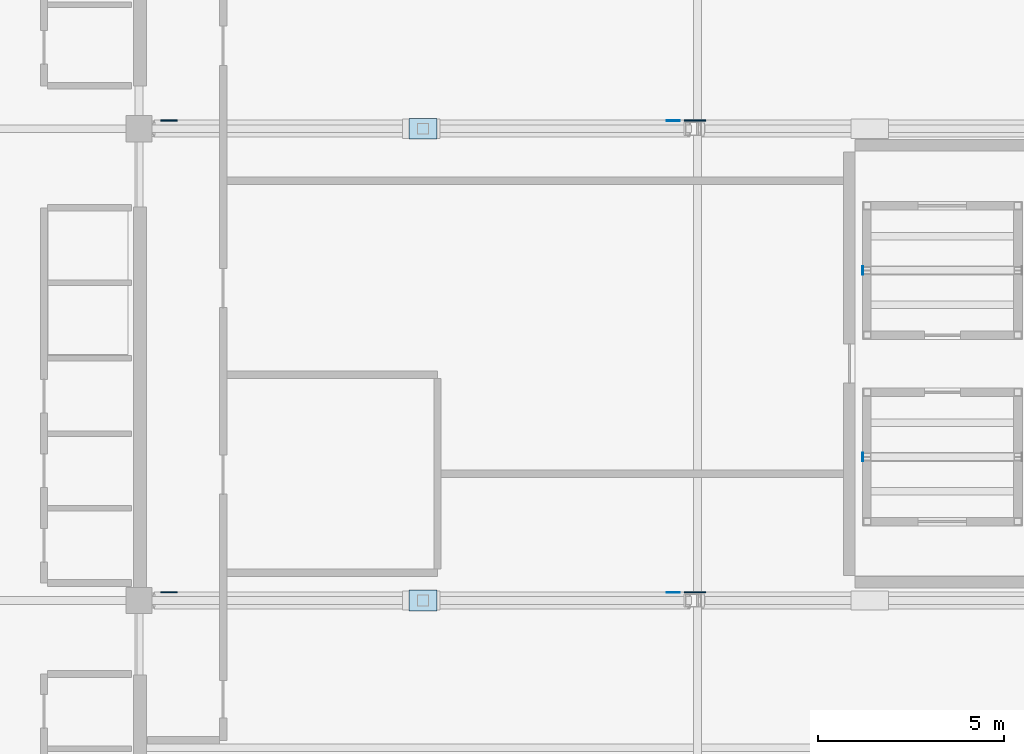
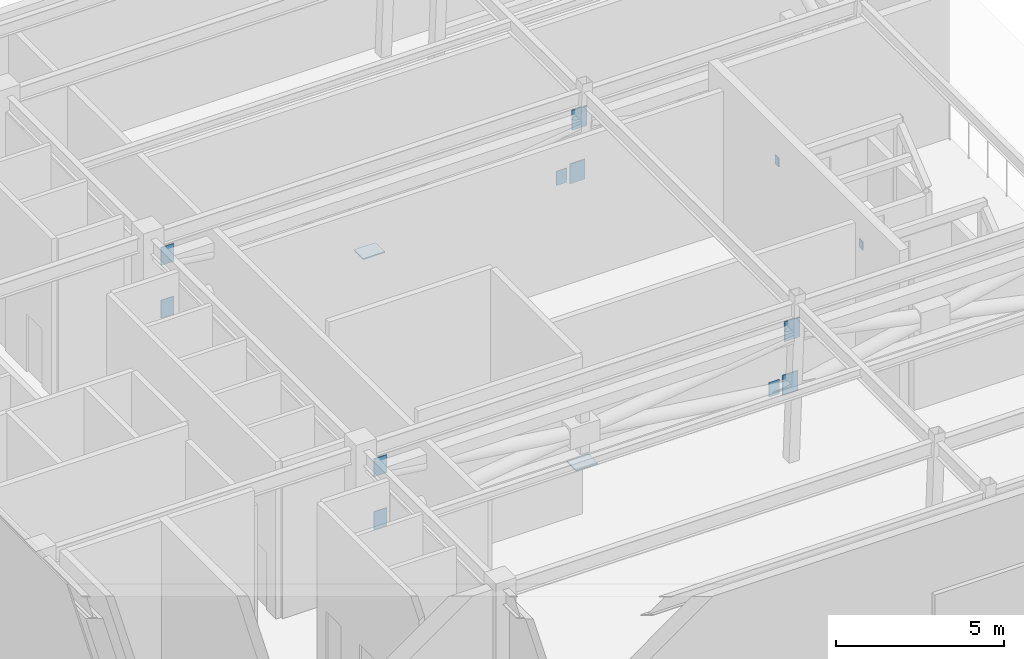
# One storey, part 7 of 12: 14 plates.
"""IFC4 building model written with IfcOpenShell, lengths in metres."""

import ifcopenshell
import ifcopenshell.guid

model = None  # the IFC model being written
_history = None  # IfcOwnerHistory: only IFC2X3 demands one
_inside = {}  # id of a spatial element -> (the spatial element, [elements in it])
_under = {}  # id of a project, library or spatial element -> (it, [spatial elements below it])
_declared = {}  # id of a project -> (the project, [libraries it declares])
_typed = {}  # id of a type object -> (the type object, [elements of that type])
_made_of = {}  # id of a material, layer set ... -> (it, [elements and type objects made of it])


def new_model(schema):
    """Start an empty IFC model of exactly this schema.

    Asked for "IFC4X3", IfcOpenShell would pick the latest addendum, in which some entities
    have other attributes; the version numbers below select the first issue.
    IFC2X3 requires an IfcOwnerHistory on every rooted entity: one is made here for all.
    """
    global model, _history
    if schema == "IFC4X3":
        model = ifcopenshell.file(schema_version=(4, 3, 0, 0))
    else:
        model = ifcopenshell.file(schema=schema)
    _inside.clear()
    _under.clear()
    _declared.clear()
    _typed.clear()
    _made_of.clear()
    _history = None
    if model.schema == "IFC2X3":
        org = make("IfcOrganization", Name="unknown")
        user = make(
            "IfcPersonAndOrganization",
            ThePerson=make("IfcPerson", FamilyName="unknown"),
            TheOrganization=org,
        )
        app = make(
            "IfcApplication",
            ApplicationDeveloper=org,
            Version="unknown",
            ApplicationFullName="unknown",
            ApplicationIdentifier="unknown",
        )
        _history = make(
            "IfcOwnerHistory",
            OwningUser=user,
            OwningApplication=app,
            ChangeAction="ADDED",
            CreationDate=0,
        )
    return model


def make(cls, **values):
    """One entity of the class cls with the attributes given. An attribute that is None is left unset."""
    return model.create_entity(
        cls, **{name: value for name, value in values.items() if value is not None}
    )


def rooted(cls, **values):
    """An entity with a GlobalId (a new one), such as an element, a storey or a relation."""
    return make(cls, GlobalId=ifcopenshell.guid.new(), OwnerHistory=_history, **values)


def si_unit(unit_type, name, prefix=None):
    """IfcSIUnit, for example si_unit("LENGTHUNIT", "METRE", prefix="MILLI")."""
    return make("IfcSIUnit", UnitType=unit_type, Prefix=prefix, Name=name)


def assignment(units):
    """IfcUnitAssignment: the units of a project."""
    return None if units is None else make("IfcUnitAssignment", Units=units)


def point(xyz):
    """IfcCartesianPoint."""
    return None if xyz is None else make("IfcCartesianPoint", Coordinates=xyz)


def direction(xyz):
    """IfcDirection."""
    return None if xyz is None else make("IfcDirection", DirectionRatios=xyz)


def frame(location, z_axis=None, x_axis=None):
    """IfcAxis2Placement3D, a coordinate frame: its origin and axes. An axis left out is left unset."""
    return make(
        "IfcAxis2Placement3D",
        Location=point(location),
        Axis=direction(z_axis),
        RefDirection=direction(x_axis),
    )


def frame_2d(location, x_axis=None):
    """IfcAxis2Placement2D, a coordinate frame in the plane: its origin and x axis."""
    return make(
        "IfcAxis2Placement2D", Location=point(location), RefDirection=direction(x_axis)
    )


def origin():
    """The frame at (0, 0, 0) with its axes left unset."""
    return frame((0.0, 0.0, 0.0))


def origin_2d():
    """The frame at (0, 0) in the plane with its x axis left unset."""
    return frame_2d((0.0, 0.0))


def place(relative_to, where):
    """IfcLocalPlacement: puts the frame where relative to a parent placement (None: the world)."""
    return make(
        "IfcLocalPlacement", PlacementRelTo=relative_to, RelativePlacement=where
    )


def context(
    kind, dimensions, precision=None, world=None, true_north=None, identifier=None
):
    """IfcGeometricRepresentationContext, for example the 3D "Model" context."""
    return make(
        "IfcGeometricRepresentationContext",
        ContextIdentifier=identifier,
        ContextType=kind,
        CoordinateSpaceDimension=dimensions,
        Precision=precision,
        WorldCoordinateSystem=world,
        TrueNorth=true_north,
    )


def subcontext(parent, identifier, kind, view, scale=None):
    """IfcGeometricRepresentationSubContext, for example "Body" below "Model"."""
    return make(
        "IfcGeometricRepresentationSubContext",
        ContextIdentifier=identifier,
        ContextType=kind,
        ParentContext=parent,
        TargetScale=scale,
        TargetView=view,
    )


def project(units=None, contexts=None):
    """IfcProject with its units and contexts."""
    return rooted(
        "IfcProject",
        Name="project",
        RepresentationContexts=contexts,
        UnitsInContext=assignment(units),
    )


def spatial(cls, under=None, at=None, **own):
    """A site, building, storey or space (cls), placed at a placement, below another one or the project."""
    s = rooted(cls, ObjectPlacement=at, **own)
    if under is not None:
        _under.setdefault(under.id(), (under, []))[1].append(s)
    return s


def profile(cls, at=None, kind="AREA", **sizes):
    """A parametric profile (cls). Its sizes go by their IFC names, for example OverallWidth=200.0."""
    return make(cls, ProfileType=kind, Position=at, **sizes)


def rectangle(**sizes):
    """IfcRectangleProfileDef."""
    return profile("IfcRectangleProfileDef", **sizes)


def extrude(swept, where, along, depth):
    """IfcExtrudedAreaSolid: the profile swept, set in the frame where, extruded along a direction by depth."""
    return make(
        "IfcExtrudedAreaSolid",
        SweptArea=swept,
        Position=where,
        ExtrudedDirection=direction(along),
        Depth=depth,
    )


def shape(context_of_items, identifier, shape_type, items):
    """IfcShapeRepresentation: the items that make up one representation, for example the "Body"."""
    return make(
        "IfcShapeRepresentation",
        ContextOfItems=context_of_items,
        RepresentationIdentifier=identifier,
        RepresentationType=shape_type,
        Items=items,
    )


def material(Name=None, Category=None):
    """IfcMaterial."""
    return make("IfcMaterial", Name=Name, Category=Category)


def layer(
    of_material, thickness, ventilated=None, Name=None, Category=None, Priority=None
):
    """IfcMaterialLayer: one layer of a wall or slab, of a material (None: an air gap)."""
    return make(
        "IfcMaterialLayer",
        Material=of_material,
        LayerThickness=thickness,
        IsVentilated=ventilated,
        Name=Name,
        Category=Category,
        Priority=Priority,
    )


def layer_set(layers, Name=None):
    """IfcMaterialLayerSet."""
    return make("IfcMaterialLayerSet", MaterialLayers=layers, LayerSetName=Name)


def made_of(thing, what):
    """Note that an element or type object is made of a material, layer set ...; save() writes the relation."""
    if what is not None:
        _made_of.setdefault(what.id(), (what, []))[1].append(thing)
    return thing


def type_object(cls, material=None, **own):
    """A type object (cls), such as IfcWallType, which elements share."""
    return made_of(rooted(cls, **own), material)


def element(
    cls,
    number,
    at=None,
    inside=None,
    cuts=None,
    type_object=None,
    material=None,
    context=None,
    identifier="Body",
    shape_type=None,
    held_by="IfcProductDefinitionShape",
    body=None,
    shapes=None,
    **own,
):
    """One element of the class cls, such as IfcWall. Its Tag is "e" and its number.

    at: its placement. inside: the storey or other place that contains it. cuts: it is an
    opening in that element (IfcRelVoidsElement). A single representation is given by context,
    identifier, shape_type and body (its items); several are given by shapes. held_by: the class
    of the entity that holds the representations. save() writes the other relations.
    """
    e = rooted(cls, Tag="e%d" % number, ObjectPlacement=at, **own)
    if body is not None:
        shapes = [shape(context, identifier, shape_type, body)]
    if shapes is not None:
        e.Representation = make(held_by, Representations=shapes)
    if inside is not None:
        _inside.setdefault(inside.id(), (inside, []))[1].append(e)
    if cuts is not None:
        rooted(
            "IfcRelVoidsElement", RelatingBuildingElement=cuts, RelatedOpeningElement=e
        )
    if type_object is not None:
        _typed.setdefault(type_object.id(), (type_object, []))[1].append(e)
    return made_of(e, material)


def aggregate(whole, parts):
    """IfcRelAggregates: a whole, such as a stair, and the parts it consists of."""
    return rooted("IfcRelAggregates", RelatingObject=whole, RelatedObjects=parts)


def save(model, path):
    """Write the relations noted so far, then the file.

    IfcRelAggregates (storeys below a building ...), IfcRelContainedInSpatialStructure (elements
    in a storey), IfcRelDefinesByType, IfcRelAssociatesMaterial and IfcRelDeclares: one each for
    every whole, place, type object, material and project.
    """
    for whole, parts in _under.values():
        aggregate(whole, parts)
    for where, things in _inside.values():
        rooted(
            "IfcRelContainedInSpatialStructure",
            RelatedElements=things,
            RelatingStructure=where,
        )
    for kind, things in _typed.values():
        rooted("IfcRelDefinesByType", RelatedObjects=things, RelatingType=kind)
    for what, things in _made_of.values():
        rooted("IfcRelAssociatesMaterial", RelatedObjects=things, RelatingMaterial=what)
    for by, libraries in _declared.values():
        rooted("IfcRelDeclares", RelatingContext=by, RelatedDefinitions=libraries)
    model.write(path)


model = new_model("IFC4")

# Units and contexts
model_context = context("Model", 3, precision=1e-05, world=origin(), true_north=direction((0.0, 1.0)))
body_context = subcontext(model_context, "Body", "Model", "MODEL_VIEW")
ifc_project = project(units=[si_unit("LENGTHUNIT", "METRE"), si_unit("AREAUNIT", "SQUARE_METRE"), si_unit("VOLUMEUNIT", "CUBIC_METRE"), si_unit("PLANEANGLEUNIT", "RADIAN"), si_unit("MASSUNIT", "GRAM", prefix="KILO")], contexts=[model_context])

# Site, building, storey
site_placement = place(None, origin())
site = spatial("IfcSite", under=ifc_project, at=site_placement, CompositionType="ELEMENT")
building_placement = place(site_placement, origin())
building = spatial("IfcBuilding", under=site, at=building_placement, Name="Ochreholt Gables", CompositionType="ELEMENT")
storey_placement = place(building_placement, frame((0.0, 0.0, 287.0)))
storey = spatial("IfcBuildingStorey", under=building, at=storey_placement, Name="L75", CompositionType="ELEMENT", Elevation=287.0)

# Plates
ifc_material = material(Name="Steel CSA G40.21 350W", Category="steel")
ifc_layer_1 = layer(ifc_material, 0.02490234375, Name="Steel CSA G40.21 350W")
ifc_layer_set_1 = layer_set([ifc_layer_1], Name="Steel CSA G40.21 350W")
plate_type_1 = type_object("IfcPlateType", Name="PL-ECP", PredefinedType="USERDEFINED", material=ifc_layer_set_1)
for number, where, z_axis, x_axis, name in (
    (1, (54.60791015625, 21.39990234375, 3.67333984375), (0.0, 0.0, 1.0), (1.0, 0.0, 0.0), "L75 Gable Ridge Welded End Cap Plate GB-75C1-W"),
    (2, (54.60791015625, 26.39990234375, 3.67333984375), (0.0, 0.0, 1.0), (1.0, 0.0, 0.0), "L75 Gable Ridge Welded End Cap Plate GB-75C2-W"),
):
    element("IfcPlate", number, at=place(storey_placement, frame(where, z_axis=z_axis, x_axis=x_axis)), inside=storey, type_object=plate_type_1, Name=name, ObjectType="END CAP PLATE", PredefinedType="USERDEFINED", context=body_context, shape_type="SweptSolid", body=[
        extrude(rectangle(XDim=0.02490234375, YDim=0.219970703125, at=origin_2d()), origin(), (0.0, 0.0, 1.0), 0.320068359375),
    ])
ifc_layer_2 = layer(ifc_material, 0.0400390625, Name="Steel CSA G40.21 350W")
ifc_layer_set_2 = layer_set([ifc_layer_2], Name="Steel CSA G40.21 350W")
plate_type_2 = type_object("IfcPlateType", Name="PLT-BASE-40", PredefinedType="USERDEFINED", material=ifc_layer_set_2)
for number, where, z_axis, x_axis, name in (
    (3, (42.810791015625, 17.550048828125, 2.357421875), (0.0, 0.0, 1.0), (1.0, 0.0, 0.0), "L75 Outrigger Node Base Plate S"),
    (4, (42.810791015625, 30.199951171875, 2.357421875), (0.0, 0.0, 1.0), (1.0, 0.0, 0.0), "L75 Outrigger Node Base Plate N"),
):
    element("IfcPlate", number, at=place(storey_placement, frame(where, z_axis=z_axis, x_axis=x_axis)), inside=storey, type_object=plate_type_2, Name=name, ObjectType="BASE PLATE", PredefinedType="USERDEFINED", context=body_context, shape_type="SweptSolid", body=[
        extrude(rectangle(XDim=0.75, YDim=0.550048828125, at=origin_2d()), origin(), (0.0, 0.0, 1.0), 0.0400390625),
    ])
ifc_layer_3 = layer(ifc_material, 0.031982421875, Name="Steel CSA G40.21 350W")
ifc_layer_set_3 = layer_set([ifc_layer_3], Name="Steel CSA G40.21 350W")
plate_type_3 = type_object("IfcPlateType", Name="PLT-GUSSET-32", PredefinedType="USERDEFINED", material=ifc_layer_set_3)
for number, where, z_axis, x_axis, name in (
    (5, (35.99951171875, 17.7685546875, 2.275146484375), (0.0, 0.0, 1.0), (1.0, 0.0, 0.0), "L75 Outrigger Gusset Plate S1"),
    (6, (35.99951171875, 17.7685546875, 4.195068359375), (0.0, 0.0, 1.0), (1.0, 0.0, 0.0), "L75 Outrigger Gusset Plate S2"),
    (7, (35.99951171875, 30.418701171875, 2.275146484375), (0.0, 0.0, 1.0), (1.0, 0.0, 0.0), "L75 Outrigger Gusset Plate N1"),
    (8, (35.99951171875, 30.418701171875, 4.195068359375), (0.0, 0.0, 1.0), (1.0, 0.0, 0.0), "L75 Outrigger Gusset Plate N2"),
):
    element("IfcPlate", number, at=place(storey_placement, frame(where, z_axis=z_axis, x_axis=x_axis)), inside=storey, type_object=plate_type_3, Name=name, ObjectType="GUSSET PLATE", PredefinedType="USERDEFINED", context=body_context, shape_type="SweptSolid", body=[
        extrude(rectangle(XDim=0.449951171875, YDim=0.031982421875, at=origin_2d()), origin(), (0.0, 0.0, 1.0), 0.64990234375),
    ])
ifc_layer_4 = layer(ifc_material, 0.0380859375, Name="Steel CSA G40.21 350W")
ifc_layer_set_4 = layer_set([ifc_layer_4], Name="Steel CSA G40.21 350W")
plate_type_4 = type_object("IfcPlateType", Name="PLT-GUSSET-38", PredefinedType="USERDEFINED", material=ifc_layer_set_4)
for number, where, z_axis, x_axis, name in (
    (9, (50.072021484375, 17.771484375, 2.240234375), (0.0, 0.0, 1.0), (1.0, 0.0, 0.0), "L75 Outrigger End Gusset Plate SM1"),
    (10, (50.13916015625, 17.771484375, 4.16015625), (0.0, 0.0, 1.0), (1.0, 0.0, 0.0), "L75 Outrigger End Gusset Plate SM2"),
    (11, (50.072021484375, 30.421630859375, 2.240234375), (0.0, 0.0, 1.0), (1.0, 0.0, 0.0), "L75 Outrigger End Gusset Plate NM1"),
    (12, (50.13916015625, 30.421630859375, 4.16015625), (0.0, 0.0, 1.0), (1.0, 0.0, 0.0), "L75 Outrigger End Gusset Plate NM2"),
):
    element("IfcPlate", number, at=place(storey_placement, frame(where, z_axis=z_axis, x_axis=x_axis)), inside=storey, type_object=plate_type_4, Name=name, ObjectType="GUSSET PLATE", PredefinedType="USERDEFINED", context=body_context, shape_type="SweptSolid", body=[
        extrude(rectangle(XDim=0.52001953125, YDim=0.0380859375, at=origin_2d()), origin(), (0.0, 0.0, 1.0), 0.719970703125),
    ])
ifc_layer_5 = layer(ifc_material, 0.02392578125, Name="Steel CSA G40.21 350W")
ifc_layer_set_5 = layer_set([ifc_layer_5], Name="Steel CSA G40.21 350W")
plate_type_5 = type_object("IfcPlateType", Name="PLT-STIFF-24", PredefinedType="SHEET", material=ifc_layer_set_5)
for number, where, z_axis, x_axis, name in (
    (13, (49.52197265625, 17.7646484375, 2.340087890625), (0.0, 0.0, 1.0), (1.0, 0.0, 0.0), "L75 Outrigger Web Stiffener S"),
    (14, (49.52197265625, 30.41455078125, 2.340087890625), (0.0, 0.0, 1.0), (1.0, 0.0, 0.0), "L75 Outrigger Web Stiffener N"),
):
    element("IfcPlate", number, at=place(storey_placement, frame(where, z_axis=z_axis, x_axis=x_axis)), inside=storey, type_object=plate_type_5, Name=name, PredefinedType="SHEET", context=body_context, shape_type="SweptSolid", body=[
        extrude(rectangle(XDim=0.360107421875, YDim=0.02392578125, at=origin_2d()), origin(), (0.0, 0.0, 1.0), 0.52001953125),
    ])

save(model, "model.ifc")
